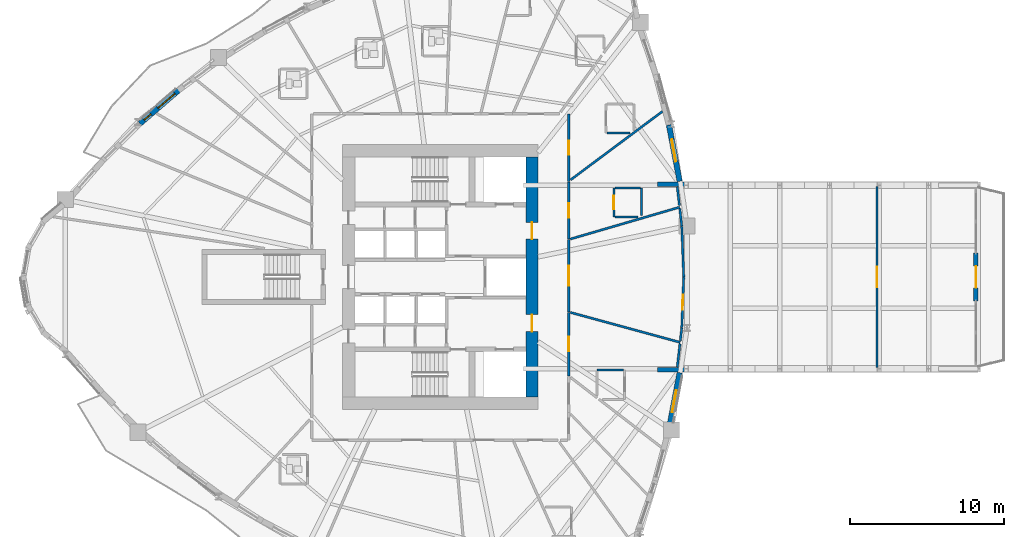
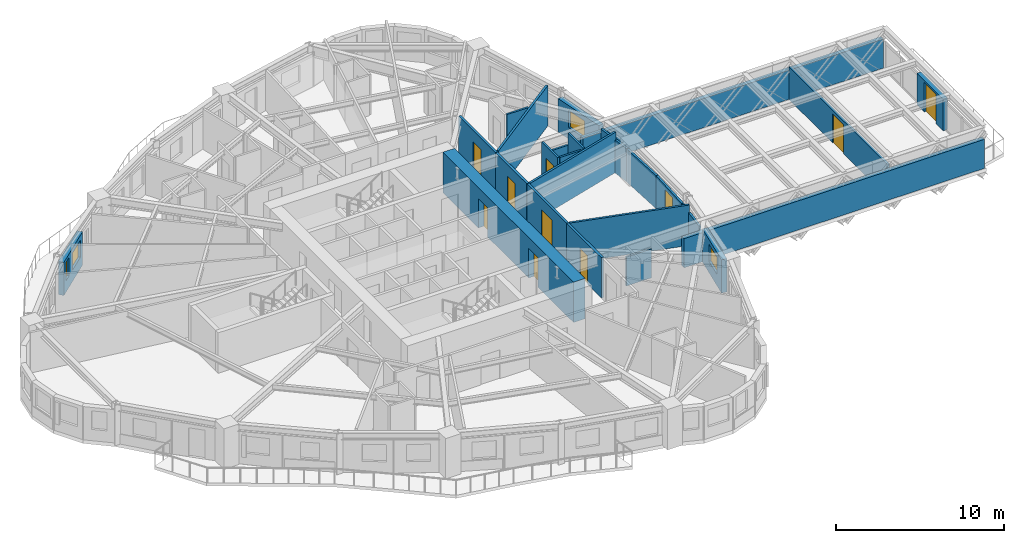
# One storey, part 8 of 16: 27 walls, 10 doors, 4 windows, 14 openings.
"""IFC4 building model written with IfcOpenShell, lengths in metres."""

import ifcopenshell
import ifcopenshell.guid

model = None  # the IFC model being written
_history = None  # IfcOwnerHistory: only IFC2X3 demands one
_inside = {}  # id of a spatial element -> (the spatial element, [elements in it])
_under = {}  # id of a project, library or spatial element -> (it, [spatial elements below it])
_declared = {}  # id of a project -> (the project, [libraries it declares])
_typed = {}  # id of a type object -> (the type object, [elements of that type])
_made_of = {}  # id of a material, layer set ... -> (it, [elements and type objects made of it])


def new_model(schema):
    """Start an empty IFC model of exactly this schema.

    Asked for "IFC4X3", IfcOpenShell would pick the latest addendum, in which some entities
    have other attributes; the version numbers below select the first issue.
    IFC2X3 requires an IfcOwnerHistory on every rooted entity: one is made here for all.
    """
    global model, _history
    if schema == "IFC4X3":
        model = ifcopenshell.file(schema_version=(4, 3, 0, 0))
    else:
        model = ifcopenshell.file(schema=schema)
    _inside.clear()
    _under.clear()
    _declared.clear()
    _typed.clear()
    _made_of.clear()
    _history = None
    if model.schema == "IFC2X3":
        org = make("IfcOrganization", Name="unknown")
        user = make(
            "IfcPersonAndOrganization",
            ThePerson=make("IfcPerson", FamilyName="unknown"),
            TheOrganization=org,
        )
        app = make(
            "IfcApplication",
            ApplicationDeveloper=org,
            Version="unknown",
            ApplicationFullName="unknown",
            ApplicationIdentifier="unknown",
        )
        _history = make(
            "IfcOwnerHistory",
            OwningUser=user,
            OwningApplication=app,
            ChangeAction="ADDED",
            CreationDate=0,
        )
    return model


def make(cls, **values):
    """One entity of the class cls with the attributes given. An attribute that is None is left unset."""
    return model.create_entity(
        cls, **{name: value for name, value in values.items() if value is not None}
    )


def rooted(cls, **values):
    """An entity with a GlobalId (a new one), such as an element, a storey or a relation."""
    return make(cls, GlobalId=ifcopenshell.guid.new(), OwnerHistory=_history, **values)


def si_unit(unit_type, name, prefix=None):
    """IfcSIUnit, for example si_unit("LENGTHUNIT", "METRE", prefix="MILLI")."""
    return make("IfcSIUnit", UnitType=unit_type, Prefix=prefix, Name=name)


def assignment(units):
    """IfcUnitAssignment: the units of a project."""
    return None if units is None else make("IfcUnitAssignment", Units=units)


def point(xyz):
    """IfcCartesianPoint."""
    return None if xyz is None else make("IfcCartesianPoint", Coordinates=xyz)


def direction(xyz):
    """IfcDirection."""
    return None if xyz is None else make("IfcDirection", DirectionRatios=xyz)


def frame(location, z_axis=None, x_axis=None):
    """IfcAxis2Placement3D, a coordinate frame: its origin and axes. An axis left out is left unset."""
    return make(
        "IfcAxis2Placement3D",
        Location=point(location),
        Axis=direction(z_axis),
        RefDirection=direction(x_axis),
    )


def frame_2d(location, x_axis=None):
    """IfcAxis2Placement2D, a coordinate frame in the plane: its origin and x axis."""
    return make(
        "IfcAxis2Placement2D", Location=point(location), RefDirection=direction(x_axis)
    )


def origin():
    """The frame at (0, 0, 0) with its axes left unset."""
    return frame((0.0, 0.0, 0.0))


def place(relative_to, where):
    """IfcLocalPlacement: puts the frame where relative to a parent placement (None: the world)."""
    return make(
        "IfcLocalPlacement", PlacementRelTo=relative_to, RelativePlacement=where
    )


def context(
    kind, dimensions, precision=None, world=None, true_north=None, identifier=None
):
    """IfcGeometricRepresentationContext, for example the 3D "Model" context."""
    return make(
        "IfcGeometricRepresentationContext",
        ContextIdentifier=identifier,
        ContextType=kind,
        CoordinateSpaceDimension=dimensions,
        Precision=precision,
        WorldCoordinateSystem=world,
        TrueNorth=true_north,
    )


def subcontext(parent, identifier, kind, view, scale=None):
    """IfcGeometricRepresentationSubContext, for example "Body" below "Model"."""
    return make(
        "IfcGeometricRepresentationSubContext",
        ContextIdentifier=identifier,
        ContextType=kind,
        ParentContext=parent,
        TargetScale=scale,
        TargetView=view,
    )


def project(units=None, contexts=None):
    """IfcProject with its units and contexts."""
    return rooted(
        "IfcProject",
        Name="project",
        RepresentationContexts=contexts,
        UnitsInContext=assignment(units),
    )


def spatial(cls, under=None, at=None, **own):
    """A site, building, storey or space (cls), placed at a placement, below another one or the project."""
    s = rooted(cls, ObjectPlacement=at, **own)
    if under is not None:
        _under.setdefault(under.id(), (under, []))[1].append(s)
    return s


def profile(cls, at=None, kind="AREA", **sizes):
    """A parametric profile (cls). Its sizes go by their IFC names, for example OverallWidth=200.0."""
    return make(cls, ProfileType=kind, Position=at, **sizes)


def rectangle(**sizes):
    """IfcRectangleProfileDef."""
    return profile("IfcRectangleProfileDef", **sizes)


def extrude(swept, where, along, depth):
    """IfcExtrudedAreaSolid: the profile swept, set in the frame where, extruded along a direction by depth."""
    return make(
        "IfcExtrudedAreaSolid",
        SweptArea=swept,
        Position=where,
        ExtrudedDirection=direction(along),
        Depth=depth,
    )


def shape(context_of_items, identifier, shape_type, items):
    """IfcShapeRepresentation: the items that make up one representation, for example the "Body"."""
    return make(
        "IfcShapeRepresentation",
        ContextOfItems=context_of_items,
        RepresentationIdentifier=identifier,
        RepresentationType=shape_type,
        Items=items,
    )


def source(mapping_origin, context_of_items, identifier, shape_type, items):
    """IfcRepresentationMap: a shape defined once, which mapped items show again and again."""
    return make(
        "IfcRepresentationMap",
        MappingOrigin=mapping_origin,
        MappedRepresentation=shape(context_of_items, identifier, shape_type, items),
    )


def transform(
    local_origin,
    x_axis=None,
    y_axis=None,
    z_axis=None,
    scale=None,
    scale2=None,
    scale3=None,
    uniform=True,
):
    """IfcCartesianTransformationOperator3D, or its non-uniform kind. x_axis, y_axis, z_axis: its Axis1, 2, 3."""
    if uniform:
        return make(
            "IfcCartesianTransformationOperator3D",
            Axis1=direction(x_axis),
            Axis2=direction(y_axis),
            LocalOrigin=point(local_origin),
            Scale=scale,
            Axis3=direction(z_axis),
        )
    return make(
        "IfcCartesianTransformationOperator3DnonUniform",
        Axis1=direction(x_axis),
        Axis2=direction(y_axis),
        LocalOrigin=point(local_origin),
        Scale=scale,
        Axis3=direction(z_axis),
        Scale2=scale2,
        Scale3=scale3,
    )


def mapped(mapping_source, mapping_target):
    """IfcMappedItem: shows the shape of a source again, moved by a transform."""
    return make(
        "IfcMappedItem", MappingSource=mapping_source, MappingTarget=mapping_target
    )


def material(Name=None, Category=None):
    """IfcMaterial."""
    return make("IfcMaterial", Name=Name, Category=Category)


def layer(
    of_material, thickness, ventilated=None, Name=None, Category=None, Priority=None
):
    """IfcMaterialLayer: one layer of a wall or slab, of a material (None: an air gap)."""
    return make(
        "IfcMaterialLayer",
        Material=of_material,
        LayerThickness=thickness,
        IsVentilated=ventilated,
        Name=Name,
        Category=Category,
        Priority=Priority,
    )


def layer_set(layers, Name=None):
    """IfcMaterialLayerSet."""
    return make("IfcMaterialLayerSet", MaterialLayers=layers, LayerSetName=Name)


def made_of(thing, what):
    """Note that an element or type object is made of a material, layer set ...; save() writes the relation."""
    if what is not None:
        _made_of.setdefault(what.id(), (what, []))[1].append(thing)
    return thing


def type_object(cls, material=None, **own):
    """A type object (cls), such as IfcWallType, which elements share."""
    return made_of(rooted(cls, **own), material)


def element(
    cls,
    number,
    at=None,
    inside=None,
    cuts=None,
    type_object=None,
    material=None,
    context=None,
    identifier="Body",
    shape_type=None,
    held_by="IfcProductDefinitionShape",
    body=None,
    shapes=None,
    **own,
):
    """One element of the class cls, such as IfcWall. Its Tag is "e" and its number.

    at: its placement. inside: the storey or other place that contains it. cuts: it is an
    opening in that element (IfcRelVoidsElement). A single representation is given by context,
    identifier, shape_type and body (its items); several are given by shapes. held_by: the class
    of the entity that holds the representations. save() writes the other relations.
    """
    e = rooted(cls, Tag="e%d" % number, ObjectPlacement=at, **own)
    if body is not None:
        shapes = [shape(context, identifier, shape_type, body)]
    if shapes is not None:
        e.Representation = make(held_by, Representations=shapes)
    if inside is not None:
        _inside.setdefault(inside.id(), (inside, []))[1].append(e)
    if cuts is not None:
        rooted(
            "IfcRelVoidsElement", RelatingBuildingElement=cuts, RelatedOpeningElement=e
        )
    if type_object is not None:
        _typed.setdefault(type_object.id(), (type_object, []))[1].append(e)
    return made_of(e, material)


def fill(opening, filler):
    """IfcRelFillsElement: the door or window that sits in an opening."""
    return rooted(
        "IfcRelFillsElement",
        RelatingOpeningElement=opening,
        RelatedBuildingElement=filler,
    )


def aggregate(whole, parts):
    """IfcRelAggregates: a whole, such as a stair, and the parts it consists of."""
    return rooted("IfcRelAggregates", RelatingObject=whole, RelatedObjects=parts)


def save(model, path):
    """Write the relations noted so far, then the file.

    IfcRelAggregates (storeys below a building ...), IfcRelContainedInSpatialStructure (elements
    in a storey), IfcRelDefinesByType, IfcRelAssociatesMaterial and IfcRelDeclares: one each for
    every whole, place, type object, material and project.
    """
    for whole, parts in _under.values():
        aggregate(whole, parts)
    for where, things in _inside.values():
        rooted(
            "IfcRelContainedInSpatialStructure",
            RelatedElements=things,
            RelatingStructure=where,
        )
    for kind, things in _typed.values():
        rooted("IfcRelDefinesByType", RelatedObjects=things, RelatingType=kind)
    for what, things in _made_of.values():
        rooted("IfcRelAssociatesMaterial", RelatedObjects=things, RelatingMaterial=what)
    for by, libraries in _declared.values():
        rooted("IfcRelDeclares", RelatingContext=by, RelatedDefinitions=libraries)
    model.write(path)


model = new_model("IFC4")

# Units and contexts
model_context = context("Model", 3, precision=1e-05, world=origin(), true_north=direction((0.0, 1.0)))
body_context = subcontext(model_context, "Body", "Model", "MODEL_VIEW")
ifc_project = project(units=[si_unit("LENGTHUNIT", "METRE"), si_unit("AREAUNIT", "SQUARE_METRE"), si_unit("VOLUMEUNIT", "CUBIC_METRE"), si_unit("PLANEANGLEUNIT", "RADIAN"), si_unit("MASSUNIT", "GRAM", prefix="KILO")], contexts=[model_context])

# Site, building, storey
site_placement = place(None, origin())
site = spatial("IfcSite", under=ifc_project, at=site_placement, CompositionType="ELEMENT")
building_placement = place(site_placement, origin())
building = spatial("IfcBuilding", under=site, at=building_placement, Name="Qafzar Sky-Pleat Residences", CompositionType="ELEMENT")
storey_placement = place(building_placement, frame((0.0, 0.0, 33.39990234375)))
storey = spatial("IfcBuildingStorey", under=building, at=storey_placement, Name="L09", CompositionType="ELEMENT", Elevation=33.39990234375)

# Wall, opening, door
ifc_material_1 = material(Name="Acoustic gypsum plasterboard partition", Category="gypsum")
ifc_layer_1 = layer(ifc_material_1, 0.159912109375)
ifc_layer_set_1 = layer_set([ifc_layer_1], Name="Acoustic gypsum plasterboard partition")
wall_type_1 = type_object("IfcWallType", Name="PART-COR-160", PredefinedType="PARTITIONING", material=ifc_layer_set_1)
wall_1_placement = place(storey_placement, frame((38.679931640625, 28.445068359375, 0.0), z_axis=(0.0, 0.0, 1.0), x_axis=(0.0, -1.0, 0.0)))
wall_1 = element("IfcWall", 1, at=wall_1_placement, inside=storey, type_object=wall_type_1, Name="L09 Partition Wall PART-L09-PW-004", PredefinedType="PARTITIONING", context=body_context, shape_type="SweptSolid", body=[
    extrude(rectangle(XDim=4.73095703125, YDim=0.159912109375, at=frame_2d((2.365478515625, 0.0))), origin(), (0.0, 0.0, 1.0), 2.940185546875),
])
opening_1_placement = place(wall_1_placement, frame((1.715576171875, 0.0, 0.0)))
opening_1 = element("IfcOpeningElement", 2, at=opening_1_placement, cuts=wall_1, Name="Opening ID-05", PredefinedType="OPENING", context=body_context, shape_type="SweptSolid", body=[
    extrude(rectangle(XDim=1.300048828125, YDim=2.10009765625, at=frame_2d((0.64990234375, 1.050048828125))), frame((0.0, 0.08984375, 0.0), z_axis=(0.0, -1.0, 0.0), x_axis=(1.0, 0.0, 0.0)), (0.0, 0.0, 1.0), 0.179931640625),
])
ifc_material_2 = material(Name="Timber-faced fire door", Category="wood")
door_type_1 = type_object("IfcDoorType", Name="DR-LNG-1300", OperationType="DOUBLE_DOOR_SINGLE_SWING", PredefinedType="DOOR", material=ifc_material_2)
shared_shape_1 = source(origin(), body_context, "Body", "SweptSolid", [
    extrude(rectangle(XDim=1.300048828125, YDim=2.10009765625, at=frame_2d((0.64990234375, 1.050048828125))), frame((0.0, 0.02490234375, 0.0), z_axis=(0.0, -1.0, 0.0), x_axis=(1.0, 0.0, 0.0)), (0.0, 0.0, 1.0), 0.050048828125),
])
door_1_placement = place(opening_1_placement, origin())
door_1 = element("IfcDoor", 3, at=door_1_placement, inside=storey, type_object=door_type_1, Name="L09 Co-Living Lounge Door", OperationType="DOUBLE_DOOR_SINGLE_SWING", OverallHeight=2.10009765625, OverallWidth=1.300048828125, PredefinedType="DOOR", context=body_context, shape_type="MappedRepresentation", body=[
    mapped(shared_shape_1, transform((0.0, 0.0, 0.0), x_axis=(1.0, 0.0, 0.0), y_axis=(0.0, 1.0, 0.0), z_axis=(0.0, 0.0, 1.0), scale=1.0)),
])
fill(opening_1, door_1)

wall_2_placement = place(storey_placement, frame((38.679931640625, 36.580078125, 0.0), z_axis=(0.0, 0.0, 1.0), x_axis=(0.0, -1.0, 0.0)))
wall_2 = element("IfcWall", 4, at=wall_2_placement, inside=storey, type_object=wall_type_1, Name="L09 Partition Wall PART-L09-PW-005", PredefinedType="PARTITIONING", context=body_context, shape_type="SweptSolid", body=[
    extrude(rectangle(XDim=4.39013671875, YDim=0.159912109375, at=frame_2d((2.195068359375, 0.0))), origin(), (0.0, 0.0, 1.0), 2.940185546875),
])
opening_2_placement = place(wall_2_placement, frame((1.7255859375, 0.0, 0.0)))
opening_2 = element("IfcOpeningElement", 5, at=opening_2_placement, cuts=wall_2, Name="Opening ID-04", PredefinedType="OPENING", context=body_context, shape_type="SweptSolid", body=[
    extrude(rectangle(XDim=0.919921875, YDim=2.10009765625, at=frame_2d((0.4599609375, 1.050048828125))), frame((0.0, 0.08984375, 0.0), z_axis=(0.0, -1.0, 0.0), x_axis=(1.0, 0.0, 0.0)), (0.0, 0.0, 1.0), 0.179931640625),
])
door_type_2 = type_object("IfcDoorType", Name="DR-BED-920", OperationType="NOTDEFINED", PredefinedType="DOOR", material=ifc_material_2)
shared_shape_2 = source(origin(), body_context, "Body", "SweptSolid", [
    extrude(rectangle(XDim=0.919921875, YDim=2.10009765625, at=frame_2d((0.4599609375, 1.050048828125))), frame((0.0, 0.02490234375, 0.0), z_axis=(0.0, -1.0, 0.0), x_axis=(1.0, 0.0, 0.0)), (0.0, 0.0, 1.0), 0.050048828125),
])
door_2_placement = place(opening_2_placement, origin())
door_2 = element("IfcDoor", 6, at=door_2_placement, inside=storey, type_object=door_type_2, Name="L09 Co-Living Bedroom 10 Door", OperationType="SINGLE_SWING_RIGHT", OverallHeight=2.10009765625, OverallWidth=0.919921875, PredefinedType="DOOR", context=body_context, shape_type="MappedRepresentation", body=[
    mapped(shared_shape_2, transform((0.0, 0.0, 0.0), x_axis=(1.0, 0.0, 0.0), y_axis=(0.0, 1.0, 0.0), z_axis=(0.0, 0.0, 1.0), scale=1.0)),
])
fill(opening_2, door_2)

wall_3_placement = place(storey_placement, frame((38.679931640625, 23.698974609375, 0.0), z_axis=(0.0, 0.0, 1.0), x_axis=(0.0, -1.0, 0.0)))
wall_3 = element("IfcWall", 7, at=wall_3_placement, inside=storey, type_object=wall_type_1, Name="L09 Partition Wall PART-L09-PW-006", PredefinedType="PARTITIONING", context=body_context, shape_type="SweptSolid", body=[
    extrude(rectangle(XDim=4.135009765625, YDim=0.159912109375, at=frame_2d((2.0673828125, 0.0))), origin(), (0.0, 0.0, 1.0), 2.940185546875),
])
opening_3_placement = place(wall_3_placement, frame((1.58251953125, 0.0, 0.0)))
opening_3 = element("IfcOpeningElement", 8, at=opening_3_placement, cuts=wall_3, Name="Opening ID-04", PredefinedType="OPENING", context=body_context, shape_type="SweptSolid", body=[
    extrude(rectangle(XDim=0.919921875, YDim=2.10009765625, at=frame_2d((0.4599609375, 1.050048828125))), frame((0.0, 0.08984375, 0.0), z_axis=(0.0, -1.0, 0.0), x_axis=(1.0, 0.0, 0.0)), (0.0, 0.0, 1.0), 0.179931640625),
])
door_3_placement = place(opening_3_placement, origin())
door_3 = element("IfcDoor", 9, at=door_3_placement, inside=storey, type_object=door_type_2, Name="L09 Co-Living Bedroom 8 Door", OperationType="SINGLE_SWING_LEFT", OverallHeight=2.10009765625, OverallWidth=0.919921875, PredefinedType="DOOR", context=body_context, shape_type="MappedRepresentation", body=[
    mapped(shared_shape_2, transform((0.0, 0.0, 0.0), x_axis=(1.0, 0.0, 0.0), y_axis=(0.0, 1.0, 0.0), z_axis=(0.0, 0.0, 1.0), scale=1.0)),
])
fill(opening_3, door_3)

wall_4_placement = place(storey_placement, frame((38.679931640625, 32.175048828125, 0.0), z_axis=(0.0, 0.0, 1.0), x_axis=(0.0, -1.0, 0.0)))
wall_4 = element("IfcWall", 10, at=wall_4_placement, inside=storey, type_object=wall_type_1, Name="L09 Partition Wall PART-L09-PW-010", PredefinedType="PARTITIONING", context=body_context, shape_type="SweptSolid", body=[
    extrude(rectangle(XDim=3.715087890625, YDim=0.159912109375, at=frame_2d((1.857421875, 0.0))), origin(), (0.0, 0.0, 1.0), 2.940185546875),
])
opening_4_placement = place(wall_4_placement, frame((1.39599609375, 0.0, 0.0)))
opening_4 = element("IfcOpeningElement", 11, at=opening_4_placement, cuts=wall_4, Name="Opening ID-04", PredefinedType="OPENING", context=body_context, shape_type="SweptSolid", body=[
    extrude(rectangle(XDim=0.919921875, YDim=2.10009765625, at=frame_2d((0.4599609375, 1.050048828125))), frame((0.0, 0.08984375, 0.0), z_axis=(0.0, -1.0, 0.0), x_axis=(1.0, 0.0, 0.0)), (0.0, 0.0, 1.0), 0.179931640625),
])
door_4_placement = place(opening_4_placement, origin())
door_4 = element("IfcDoor", 12, at=door_4_placement, inside=storey, type_object=door_type_2, Name="L09 Co-Living Bedroom 9 Door", OperationType="SINGLE_SWING_RIGHT", OverallHeight=2.10009765625, OverallWidth=0.919921875, PredefinedType="DOOR", context=body_context, shape_type="MappedRepresentation", body=[
    mapped(shared_shape_2, transform((0.0, 0.0, 0.0), x_axis=(1.0, 0.0, 0.0), y_axis=(0.0, 1.0, 0.0), z_axis=(0.0, 0.0, 1.0), scale=1.0)),
])
fill(opening_4, door_4)

ifc_layer_2 = layer(ifc_material_1, 0.14501953125)
ifc_layer_set_2 = layer_set([ifc_layer_2], Name="Acoustic gypsum plasterboard partition")
wall_type_2 = type_object("IfcWallType", Name="PART-UNIT-145", PredefinedType="PARTITIONING", material=ifc_layer_set_2)
wall_5_placement = place(storey_placement, frame((58.69091796875, 31.862060546875, 0.0), z_axis=(0.0, 0.0, 1.0), x_axis=(0.0, -1.0, 0.0)))
wall_5 = element("IfcWall", 13, at=wall_5_placement, inside=storey, type_object=wall_type_2, Name="L09 Partition Wall PART-L09-PW-001", PredefinedType="PARTITIONING", context=body_context, shape_type="SweptSolid", body=[
    extrude(rectangle(XDim=11.72412109375, YDim=0.14501953125, at=frame_2d((5.862060546875, 0.0))), origin(), (0.0, 0.0, 1.0), 2.383056640625),
])
opening_5_placement = place(wall_5_placement, frame((5.2119140625, 0.0, 0.0)))
opening_5 = element("IfcOpeningElement", 14, at=opening_5_placement, cuts=wall_5, Name="Opening ID-05", PredefinedType="OPENING", context=body_context, shape_type="SweptSolid", body=[
    extrude(rectangle(XDim=1.300048828125, YDim=2.10009765625, at=frame_2d((0.64990234375, 1.050048828125))), frame((0.0, 0.08251953125, 0.0), z_axis=(0.0, -1.0, 0.0), x_axis=(1.0, 0.0, 0.0)), (0.0, 0.0, 1.0), 0.1650390625),
])
door_5_placement = place(opening_5_placement, origin())
door_5 = element("IfcDoor", 15, at=door_5_placement, inside=storey, type_object=door_type_1, Name="L09 Panorama Sky Lounge Door", OperationType="DOUBLE_DOOR_SINGLE_SWING", OverallHeight=2.10009765625, OverallWidth=1.300048828125, PredefinedType="DOOR", context=body_context, shape_type="MappedRepresentation", body=[
    mapped(shared_shape_1, transform((0.0, 0.0, 0.0), x_axis=(1.0, 0.0, 0.0), y_axis=(0.0, 1.0, 0.0), z_axis=(0.0, 0.0, 1.0), scale=1.0)),
])
fill(opening_5, door_5)

wall_6_placement = place(storey_placement, frame((46.1455078125, 25.985107421875, 0.0), z_axis=(0.0, 0.0, 1.0), x_axis=(-0.038094618751, -0.999274136572, 0.0)))
wall_6 = element("IfcWall", 16, at=wall_6_placement, inside=storey, type_object=wall_type_2, Name="L09 Partition Wall PART-L09-PW-012", PredefinedType="PARTITIONING", context=body_context, shape_type="SweptSolid", body=[
    extrude(rectangle(XDim=3.2685546875, YDim=0.14501953125, at=frame_2d((1.63427734375, 0.0))), origin(), (0.0, 0.0, 1.0), 2.408203125),
])
opening_6_placement = place(wall_6_placement, frame((1.146728515625, 0.0, 0.0)))
opening_6 = element("IfcOpeningElement", 17, at=opening_6_placement, cuts=wall_6, Name="Opening ID-06", PredefinedType="OPENING", context=body_context, shape_type="SweptSolid", body=[
    extrude(rectangle(XDim=0.9599609375, YDim=2.10009765625, at=frame_2d((0.47998046875, 1.050048828125))), frame((0.0, 0.08251953125, 0.0), z_axis=(0.0, -1.0, 0.0), x_axis=(1.0, 0.0, 0.0)), (0.0, 0.0, 1.0), 0.1650390625),
])
door_type_3 = type_object("IfcDoorType", Name="DR-STD-960", OperationType="NOTDEFINED", PredefinedType="DOOR", material=ifc_material_2)
shared_shape_3 = source(origin(), body_context, "Body", "SweptSolid", [
    extrude(rectangle(XDim=0.9599609375, YDim=2.10009765625, at=frame_2d((0.47998046875, 1.050048828125))), frame((0.0, 0.02490234375, 0.0), z_axis=(0.0, -1.0, 0.0), x_axis=(1.0, 0.0, 0.0)), (0.0, 0.0, 1.0), 0.050048828125),
])
door_6_placement = place(opening_6_placement, origin())
door_6 = element("IfcDoor", 18, at=door_6_placement, inside=storey, type_object=door_type_3, Name="L09 Sky-Bar Reading Library Door", OperationType="SINGLE_SWING_RIGHT", OverallHeight=2.10009765625, OverallWidth=0.9599609375, PredefinedType="DOOR", context=body_context, shape_type="MappedRepresentation", body=[
    mapped(shared_shape_3, transform((0.0, 0.0, 0.0), x_axis=(1.0, 0.0, 0.0), y_axis=(0.0, 1.0, 0.0), z_axis=(0.0, 0.0, 1.0), scale=1.0)),
])
fill(opening_6, door_6)

# Walls
wall_7_placement = place(storey_placement, frame((38.809814453125, 32.3056640625, 0.0), z_axis=(0.0, 0.0, 1.0), x_axis=(0.801799720797, 0.597592844443, 0.0)))
element("IfcWall", 19, at=wall_7_placement, inside=storey, type_object=wall_type_2, Name="L09 Partition Wall PART-L09-PW-041", PredefinedType="PARTITIONING", context=body_context, shape_type="SweptSolid", body=[
    extrude(rectangle(XDim=7.42431640625, YDim=0.14501953125, at=frame_2d((3.712158203125, 0.0))), origin(), (0.0, 0.0, 1.0), 2.940185546875),
])
wall_8_placement = place(storey_placement, frame((38.7880859375, 28.46044921875, 0.0), z_axis=(0.0, 0.0, 1.0), x_axis=(0.959983709987, 0.280055845432, 0.0)))
element("IfcWall", 20, at=wall_8_placement, inside=storey, type_object=wall_type_2, Name="L09 Partition Wall PART-L09-PW-042", PredefinedType="PARTITIONING", context=body_context, shape_type="SweptSolid", body=[
    extrude(rectangle(XDim=7.386474609375, YDim=0.14501953125, at=frame_2d((3.693359375, 0.0))), origin(), (0.0, 0.0, 1.0), 2.940185546875),
])
wall_9_placement = place(storey_placement, frame((38.786865234375, 23.700927734375, 0.0), z_axis=(0.0, 0.0, 1.0), x_axis=(0.964810342249, -0.262946769308, 0.0)))
element("IfcWall", 21, at=wall_9_placement, inside=storey, type_object=wall_type_2, Name="L09 Partition Wall PART-L09-PW-043", PredefinedType="PARTITIONING", context=body_context, shape_type="SweptSolid", body=[
    extrude(rectangle(XDim=7.385009765625, YDim=0.14501953125, at=frame_2d((3.6923828125, 0.0))), origin(), (0.0, 0.0, 1.0), 2.940185546875),
])
wall_10_placement = place(storey_placement, frame((46.02099609375, 29.281005859375, 0.0), z_axis=(0.0, 0.0, 1.0), x_axis=(0.038070453861, -0.999275057501, 0.0)))
element("IfcWall", 22, at=wall_10_placement, inside=storey, type_object=wall_type_2, Name="L09 Partition Wall PART-L09-PW-056", PredefinedType="PARTITIONING", context=body_context, shape_type="SweptSolid", body=[
    extrude(rectangle(XDim=3.283447265625, YDim=0.14501953125, at=frame_2d((1.6416015625, 0.0))), origin(), (0.0, 0.0, 1.0), 2.408203125),
])
wall_11_placement = place(storey_placement, frame((45.728515625, 20.14599609375, 0.0), z_axis=(0.0, 0.0, 1.0), x_axis=(0.113074294354, 0.993586535716, 0.0)))
element("IfcWall", 23, at=wall_11_placement, inside=storey, type_object=wall_type_2, Name="L09 Partition Wall PART-L09-PW-087", PredefinedType="PARTITIONING", context=body_context, shape_type="SweptSolid", body=[
    extrude(rectangle(XDim=1.53076171875, YDim=0.14501953125, at=frame_2d((0.765380859375, 0.0))), origin(), (0.0, 0.0, 1.0), 2.408203125),
])
wall_12_placement = place(storey_placement, frame((45.8896484375, 30.435546875, 0.0), z_axis=(0.0, 0.0, 1.0), x_axis=(0.113024308153, -0.993592223081, 0.0)))
element("IfcWall", 24, at=wall_12_placement, inside=storey, type_object=wall_type_2, Name="L09 Partition Wall PART-L09-PW-089", PredefinedType="PARTITIONING", context=body_context, shape_type="SweptSolid", body=[
    extrude(rectangle(XDim=1.14697265625, YDim=0.14501953125, at=frame_2d((0.573486328125, 0.0))), origin(), (0.0, 0.0, 1.0), 2.408203125),
])
wall_13_placement = place(storey_placement, frame((45.728515625, 31.85400390625, 0.0), z_axis=(0.0, 0.0, 1.0), x_axis=(0.112860473391, -0.993610846129, 0.0)))
element("IfcWall", 25, at=wall_13_placement, inside=storey, type_object=wall_type_2, Name="L09 Partition Wall PART-L09-PW-090", PredefinedType="PARTITIONING", context=body_context, shape_type="SweptSolid", body=[
    extrude(rectangle(XDim=1.224365234375, YDim=0.14501953125, at=frame_2d((0.6123046875, 0.0))), origin(), (0.0, 0.0, 1.0), 2.408203125),
])
wall_14_placement = place(storey_placement, frame((45.924072265625, 21.86572265625, 0.0), z_axis=(0.0, 0.0, 1.0), x_axis=(0.112844765803, 0.993612630169, 0.0)))
element("IfcWall", 26, at=wall_14_placement, inside=storey, type_object=wall_type_2, Name="L09 Partition Wall PART-L09-PW-096", PredefinedType="PARTITIONING", context=body_context, shape_type="SweptSolid", body=[
    extrude(rectangle(XDim=0.84375, YDim=0.14501953125, at=frame_2d((0.421875, 0.0))), origin(), (0.0, 0.0, 1.0), 2.408203125),
])

# Wall, opening, door
ifc_material_3 = material(Name="Moisture-resistant gypsum partition", Category="gypsum")
ifc_layer_3 = layer(ifc_material_3, 0.1298828125)
ifc_layer_set_3 = layer_set([ifc_layer_3], Name="Moisture-resistant gypsum partition")
wall_type_3 = type_object("IfcWallType", Name="PART-WET-130", PredefinedType="PARTITIONING", material=ifc_layer_set_3)
wall_15_placement = place(storey_placement, frame((41.611083984375, 31.7880859375, 0.0), z_axis=(0.0, 0.0, 1.0), x_axis=(0.0, -1.0, 0.0)))
wall_15 = element("IfcWall", 27, at=wall_15_placement, inside=storey, type_object=wall_type_3, Name="L09 Partition Wall PART-L09-PW-026", PredefinedType="PARTITIONING", context=body_context, shape_type="SweptSolid", body=[
    extrude(rectangle(XDim=1.900146484375, YDim=0.1298828125, at=frame_2d((0.9501953125, 0.0))), origin(), (0.0, 0.0, 1.0), 2.940185546875),
])
opening_7_placement = place(wall_15_placement, frame((0.510009765625, 0.0, 0.0)))
opening_7 = element("IfcOpeningElement", 28, at=opening_7_placement, cuts=wall_15, Name="Opening ID-07", PredefinedType="OPENING", context=body_context, shape_type="SweptSolid", body=[
    extrude(rectangle(XDim=0.8798828125, YDim=2.050048828125, at=frame_2d((0.43994140625, 1.02490234375))), frame((0.0, 0.074951171875, 0.0), z_axis=(0.0, -1.0, 0.0), x_axis=(1.0, 0.0, 0.0)), (0.0, 0.0, 1.0), 0.14990234375),
])
door_type_4 = type_object("IfcDoorType", Name="DR-WET-880", OperationType="NOTDEFINED", PredefinedType="DOOR", material=ifc_material_2)
shared_shape_4 = source(origin(), body_context, "Body", "SweptSolid", [
    extrude(rectangle(XDim=0.8798828125, YDim=2.050048828125, at=frame_2d((0.43994140625, 1.02490234375))), frame((0.0, 0.02490234375, 0.0), z_axis=(0.0, -1.0, 0.0), x_axis=(1.0, 0.0, 0.0)), (0.0, 0.0, 1.0), 0.050048828125),
])
door_7_placement = place(opening_7_placement, origin())
door_7 = element("IfcDoor", 29, at=door_7_placement, inside=storey, type_object=door_type_4, Name="L09 En-suite Bathroom 9 Door", OperationType="SINGLE_SWING_RIGHT", OverallHeight=2.050048828125, OverallWidth=0.8798828125, PredefinedType="DOOR", context=body_context, shape_type="MappedRepresentation", body=[
    mapped(shared_shape_4, transform((0.0, 0.0, 0.0), x_axis=(1.0, 0.0, 0.0), y_axis=(0.0, 1.0, 0.0), z_axis=(0.0, 0.0, 1.0), scale=1.0)),
])
fill(opening_7, door_7)

# Walls
wall_16_placement = place(storey_placement, frame((43.410888671875, 29.990478515625, 0.0), z_axis=(0.0, 0.0, 1.0), x_axis=(0.0, 1.0, 0.0)))
element("IfcWall", 30, at=wall_16_placement, inside=storey, type_object=wall_type_3, Name="L09 Partition Wall PART-L09-PW-064", PredefinedType="PARTITIONING", context=body_context, shape_type="SweptSolid", body=[
    extrude(rectangle(XDim=1.797607421875, YDim=0.1298828125, at=frame_2d((0.89892578125, 0.0))), origin(), (0.0, 0.0, 1.0), 2.940185546875),
])
wall_17_placement = place(storey_placement, frame((41.68408203125, 31.7880859375, 0.0), z_axis=(0.0, 0.0, 1.0), x_axis=(1.0, 0.0, 0.0)))
element("IfcWall", 31, at=wall_17_placement, inside=storey, type_object=wall_type_3, Name="L09 Partition Wall PART-L09-PW-068", PredefinedType="PARTITIONING", context=body_context, shape_type="SweptSolid", body=[
    extrude(rectangle(XDim=1.65380859375, YDim=0.1298828125, at=frame_2d((0.826904296875, 0.0))), origin(), (0.0, 0.0, 1.0), 2.108154296875),
])
wall_18_placement = place(storey_placement, frame((41.68408203125, 29.887939453125, 0.0), z_axis=(0.0, 0.0, 1.0), x_axis=(1.0, 0.0, 0.0)))
element("IfcWall", 32, at=wall_18_placement, inside=storey, type_object=wall_type_3, Name="L09 Partition Wall PART-L09-PW-069", PredefinedType="PARTITIONING", context=body_context, shape_type="SweptSolid", body=[
    extrude(rectangle(XDim=1.48681640625, YDim=0.1298828125, at=frame_2d((0.743408203125, 0.0))), origin(), (0.0, 0.0, 1.0), 2.940185546875),
])
wall_19_placement = place(storey_placement, frame((40.51806640625, 19.966064453125, 0.0), z_axis=(0.0, 0.0, 1.0), x_axis=(1.0, 0.0, 0.0)))
element("IfcWall", 33, at=wall_19_placement, inside=storey, type_object=wall_type_3, Name="L09 Partition Wall PART-L09-PW-076", PredefinedType="PARTITIONING", context=body_context, shape_type="SweptSolid", body=[
    extrude(rectangle(XDim=1.72705078125, YDim=0.1298828125, at=frame_2d((0.863525390625, 0.0))), origin(), (0.0, 0.0, 1.0), 2.108154296875),
])
wall_20_placement = place(storey_placement, frame((41.178955078125, 35.3330078125, 0.0), z_axis=(0.0, 0.0, 1.0), x_axis=(1.0, 0.0, 0.0)))
element("IfcWall", 34, at=wall_20_placement, inside=storey, type_object=wall_type_3, Name="L09 Partition Wall PART-L09-PW-080", PredefinedType="PARTITIONING", context=body_context, shape_type="SweptSolid", body=[
    extrude(rectangle(XDim=1.4755859375, YDim=0.1298828125, at=frame_2d((0.73779296875, 0.0))), origin(), (0.0, 0.0, 1.0), 2.940185546875),
])
ifc_material_4 = material(Name="Precast concrete C40/50 with honed Riyadh limestone", Category="concrete")
ifc_layer_4 = layer(ifc_material_4, 0.300048828125)
ifc_layer_set_4 = layer_set([ifc_layer_4], Name="Precast concrete C40/50 with honed Riyadh limestone")
wall_type_4 = type_object("IfcWallType", Name="WALL-EXT-300", PredefinedType="SOLIDWALL", material=ifc_layer_set_4)
for number, where, z_axis, x_axis, name in (
    (35, (44.449951171875, 32.02001953125, 0.0), (0.0, 0.0, 1.0), (1.0, 0.0, 0.0), "L09 SB-1 Side Spandrel Wall L"),
    (36, (44.449951171875, 19.97998046875, 0.0), (0.0, 0.0, 1.0), (1.0, 0.0, 0.0), "L09 SB-1 Side Spandrel Wall R"),
):
    element("IfcWall", number, at=place(storey_placement, frame(where, z_axis=z_axis, x_axis=x_axis)), inside=storey, type_object=wall_type_4, Name=name, PredefinedType="SOLIDWALL", context=body_context, shape_type="SweptSolid", body=[
        extrude(rectangle(XDim=20.6845703125, YDim=0.300048828125, at=frame_2d((10.34228515625, 0.0))), origin(), (0.0, 0.0, 1.0), 2.1201171875),
    ])

# Wall, opening, door
wall_21_placement = place(storey_placement, frame((65.1044921875, 27.56005859375, 0.0), z_axis=(0.0, 0.0, 1.0), x_axis=(0.0, -1.0, 0.0)))
wall_21 = element("IfcWall", 37, at=wall_21_placement, inside=storey, type_object=wall_type_4, Name="L09 SB-1 Prow Portal Wall", PredefinedType="SOLIDWALL", context=body_context, shape_type="SweptSolid", body=[
    extrude(rectangle(XDim=3.1201171875, YDim=0.300048828125, at=frame_2d((1.56005859375, 0.0))), origin(), (0.0, 0.0, 1.0), 2.300048828125),
])
opening_8_placement = place(wall_21_placement, frame((0.860107421875, 0.0, 0.0)))
opening_8 = element("IfcOpeningElement", 38, at=opening_8_placement, cuts=wall_21, Name="Opening ED-07", PredefinedType="OPENING", context=body_context, shape_type="SweptSolid", body=[
    extrude(rectangle(XDim=1.39990234375, YDim=2.14990234375, at=frame_2d((0.699951171875, 1.074951171875))), frame((0.0, 0.16015625, 0.0), z_axis=(0.0, -1.0, 0.0), x_axis=(1.0, 0.0, 0.0)), (0.0, 0.0, 1.0), 0.320068359375),
])
ifc_material_5 = material(Name="Glazed bronze aluminium door", Category="aluminium")
door_type_5 = type_object("IfcDoorType", Name="DR-SB-1400", OperationType="DOUBLE_DOOR_SINGLE_SWING", PredefinedType="DOOR", material=ifc_material_5)
shared_shape_5 = source(origin(), body_context, "Body", "SweptSolid", [
    extrude(rectangle(XDim=1.39990234375, YDim=2.14990234375, at=frame_2d((0.699951171875, 1.074951171875))), frame((0.0, 0.02490234375, 0.0), z_axis=(0.0, -1.0, 0.0), x_axis=(1.0, 0.0, 0.0)), (0.0, 0.0, 1.0), 0.050048828125),
])
door_8_placement = place(opening_8_placement, origin())
door_8 = element("IfcDoor", 39, at=door_8_placement, inside=storey, type_object=door_type_5, Name="L09 SB-1 Tip Balcony Glazed Door", OperationType="DOUBLE_DOOR_SINGLE_SWING", OverallHeight=2.14990234375, OverallWidth=1.39990234375, PredefinedType="DOOR", context=body_context, shape_type="MappedRepresentation", body=[
    mapped(shared_shape_5, transform((0.0, 0.0, 0.0), x_axis=(1.0, 0.0, 0.0), y_axis=(0.0, 1.0, 0.0), z_axis=(0.0, 0.0, 1.0), scale=1.0)),
])
fill(opening_8, door_8)

# Wall, opening, window
ifc_layer_5 = layer(ifc_material_4, 0.35009765625)
ifc_layer_set_5 = layer_set([ifc_layer_5], Name="Precast concrete C40/50 with honed Riyadh limestone")
wall_type_5 = type_object("IfcWallType", Name="WALL-EXT-350", PredefinedType="SOLIDWALL", material=ifc_layer_set_5)
wall_22_placement = place(storey_placement, frame((45.239501953125, 16.407958984375, 0.0), z_axis=(0.0, 0.0, 1.0), x_axis=(0.186636709983, 0.982428999209, 0.0)))
wall_22 = element("IfcWall", 40, at=wall_22_placement, inside=storey, type_object=wall_type_5, Name="L09 Limestone Facade Wall 25", PredefinedType="SOLIDWALL", context=body_context, shape_type="SweptSolid", body=[
    extrude(rectangle(XDim=3.445556640625, YDim=0.35009765625, at=frame_2d((1.72265625, 0.0))), origin(), (0.0, 0.0, 1.0), 2.420166015625),
])
opening_9_placement = place(wall_22_placement, frame((0.827880859375, 0.0, 0.820068359375)))
opening_9 = element("IfcOpeningElement", 41, at=opening_9_placement, cuts=wall_22, Name="Opening WN-15", PredefinedType="OPENING", context=body_context, shape_type="SweptSolid", body=[
    extrude(rectangle(XDim=1.449951171875, YDim=1.25, at=frame_2d((0.72509765625, 0.625))), frame((0.0, 0.18505859375, 0.0), z_axis=(0.0, -1.0, 0.0), x_axis=(1.0, 0.0, 0.0)), (0.0, 0.0, 1.0), 0.3701171875),
])
ifc_material_6 = material(Name="Solar-control low-E glass in bronze aluminium frame", Category="glass")
window_type_1 = type_object("IfcWindowType", Name="WIN-15", PartitioningType="SINGLE_PANEL", PredefinedType="WINDOW", material=ifc_material_6)
shared_shape_6 = source(origin(), body_context, "Body", "SweptSolid", [
    extrude(rectangle(XDim=1.449951171875, YDim=1.25, at=frame_2d((0.72509765625, 0.625))), frame((0.0, 0.030029296875, 0.0), z_axis=(0.0, -1.0, 0.0), x_axis=(1.0, 0.0, 0.0)), (0.0, 0.0, 1.0), 0.06005859375),
])
window_1_placement = place(opening_9_placement, origin())
window_1 = element("IfcWindow", 42, at=window_1_placement, inside=storey, type_object=window_type_1, Name="L09 Punched Facade Window 25", OverallHeight=1.25, OverallWidth=1.449951171875, PartitioningType="SINGLE_PANEL", PredefinedType="WINDOW", context=body_context, shape_type="MappedRepresentation", body=[
    mapped(shared_shape_6, transform((0.0, 0.0, 0.0), x_axis=(1.0, 0.0, 0.0), y_axis=(0.0, 1.0, 0.0), z_axis=(0.0, 0.0, 1.0), scale=1.0)),
])
fill(opening_9, window_1)

wall_23_placement = place(storey_placement, frame((45.882568359375, 32.20703125, 0.0), z_axis=(0.0, 0.0, 1.0), x_axis=(-0.186693533797, 0.982418202416, 0.0)))
wall_23 = element("IfcWall", 43, at=wall_23_placement, inside=storey, type_object=wall_type_5, Name="L09 Limestone Facade Wall 30", PredefinedType="SOLIDWALL", context=body_context, shape_type="SweptSolid", body=[
    extrude(rectangle(XDim=3.7255859375, YDim=0.35009765625, at=frame_2d((1.86279296875, 0.0))), origin(), (0.0, 0.0, 1.0), 2.420166015625),
])
opening_10_placement = place(wall_23_placement, frame((1.312744140625, 0.0, 0.820068359375)))
opening_10 = element("IfcOpeningElement", 44, at=opening_10_placement, cuts=wall_23, Name="Opening WN-15", PredefinedType="OPENING", context=body_context, shape_type="SweptSolid", body=[
    extrude(rectangle(XDim=1.449951171875, YDim=1.25, at=frame_2d((0.72509765625, 0.625))), frame((0.0, 0.18505859375, 0.0), z_axis=(0.0, -1.0, 0.0), x_axis=(1.0, 0.0, 0.0)), (0.0, 0.0, 1.0), 0.3701171875),
])
window_2_placement = place(opening_10_placement, origin())
window_2 = element("IfcWindow", 45, at=window_2_placement, inside=storey, type_object=window_type_1, Name="L09 Punched Facade Window 30", OverallHeight=1.25, OverallWidth=1.449951171875, PartitioningType="SINGLE_PANEL", PredefinedType="WINDOW", context=body_context, shape_type="MappedRepresentation", body=[
    mapped(shared_shape_6, transform((0.0, 0.0, 0.0), x_axis=(1.0, 0.0, 0.0), y_axis=(0.0, 1.0, 0.0), z_axis=(0.0, 0.0, 1.0), scale=1.0)),
])
fill(opening_10, window_2)

# Wall, openings, windows
wall_24_placement = place(storey_placement, frame((13.42431640625, 38.159912109375, 0.0), z_axis=(0.0, 0.0, 1.0), x_axis=(-0.757512075852, -0.652821150805, 0.0)))
wall_24 = element("IfcWall", 46, at=wall_24_placement, inside=storey, type_object=wall_type_5, Name="L09 Limestone Facade Wall 46", PredefinedType="SOLIDWALL", context=body_context, shape_type="SweptSolid", body=[
    extrude(rectangle(XDim=3.3837890625, YDim=0.35009765625, at=frame_2d((1.69189453125, 0.0))), origin(), (0.0, 0.0, 1.0), 2.420166015625),
])
opening_11_placement = place(wall_24_placement, frame((0.3916015625, 0.0, 0.820068359375)))
opening_11 = element("IfcOpeningElement", 47, at=opening_11_placement, cuts=wall_24, Name="Opening WN-15", PredefinedType="OPENING", context=body_context, shape_type="SweptSolid", body=[
    extrude(rectangle(XDim=1.449951171875, YDim=1.25, at=frame_2d((0.72509765625, 0.625))), frame((0.0, 0.18505859375, 0.0), z_axis=(0.0, -1.0, 0.0), x_axis=(1.0, 0.0, 0.0)), (0.0, 0.0, 1.0), 0.3701171875),
])
opening_12_placement = place(wall_24_placement, frame((2.44873046875, 0.0, 0.820068359375)))
opening_12 = element("IfcOpeningElement", 48, at=opening_12_placement, cuts=wall_24, Name="Opening WN-17", PredefinedType="OPENING", context=body_context, shape_type="SweptSolid", body=[
    extrude(rectangle(XDim=0.580078125, YDim=1.35009765625, at=frame_2d((0.2900390625, 0.675048828125))), frame((0.0, 0.18505859375, 0.0), z_axis=(0.0, -1.0, 0.0), x_axis=(1.0, 0.0, 0.0)), (0.0, 0.0, 1.0), 0.3701171875),
])
window_3_placement = place(opening_11_placement, origin())
window_3 = element("IfcWindow", 49, at=window_3_placement, inside=storey, type_object=window_type_1, Name="L09 Punched Facade Window 46", OverallHeight=1.25, OverallWidth=1.449951171875, PartitioningType="SINGLE_PANEL", PredefinedType="WINDOW", context=body_context, shape_type="MappedRepresentation", body=[
    mapped(shared_shape_6, transform((0.0, 0.0, 0.0), x_axis=(1.0, 0.0, 0.0), y_axis=(0.0, 1.0, 0.0), z_axis=(0.0, 0.0, 1.0), scale=1.0)),
])
fill(opening_11, window_3)
window_type_2 = type_object("IfcWindowType", Name="WIN-17", PartitioningType="SINGLE_PANEL", PredefinedType="WINDOW", material=ifc_material_6)
shared_shape_7 = source(origin(), body_context, "Body", "SweptSolid", [
    extrude(rectangle(XDim=0.580078125, YDim=1.35009765625, at=frame_2d((0.2900390625, 0.675048828125))), frame((0.0, 0.030029296875, 0.0), z_axis=(0.0, -1.0, 0.0), x_axis=(1.0, 0.0, 0.0)), (0.0, 0.0, 1.0), 0.06005859375),
])
window_4_placement = place(opening_12_placement, origin())
window_4 = element("IfcWindow", 50, at=window_4_placement, inside=storey, type_object=window_type_2, Name="L09 Punched Facade Window 46-2", OverallHeight=1.35009765625, OverallWidth=0.580078125, PartitioningType="SINGLE_PANEL", PredefinedType="WINDOW", context=body_context, shape_type="MappedRepresentation", body=[
    mapped(shared_shape_7, transform((0.0, 0.0, 0.0), x_axis=(1.0, 0.0, 0.0), y_axis=(0.0, 1.0, 0.0), z_axis=(0.0, 0.0, 1.0), scale=1.0)),
])
fill(opening_12, window_4)

# Wall, openings, doors
ifc_material_7 = material(Name="Concrete C60/75", Category="concrete")
ifc_layer_6 = layer(ifc_material_7, 0.800048828125)
ifc_layer_set_6 = layer_set([ifc_layer_6], Name="Concrete C60/75")
wall_type_6 = type_object("IfcWallType", Name="WALL-SHEAR-800", PredefinedType="SHEAR", material=ifc_layer_set_6)
wall_25_placement = place(storey_placement, frame((36.300048828125, 18.199951171875, 0.0), z_axis=(0.0, 0.0, 1.0), x_axis=(0.0, 1.0, 0.0)))
wall_25 = element("IfcWall", 51, at=wall_25_placement, inside=storey, type_object=wall_type_6, Name="L09 CORE wall E", PredefinedType="SHEAR", context=body_context, shape_type="SweptSolid", body=[
    extrude(rectangle(XDim=15.60009765625, YDim=0.800048828125, at=frame_2d((7.800048828125, 0.0))), origin(), (0.0, 0.0, 1.0), 2.940185546875),
])
opening_13_placement = place(wall_25_placement, frame((4.25, 0.0, 0.0)))
opening_13 = element("IfcOpeningElement", 52, at=opening_13_placement, cuts=wall_25, Name="Opening ID-02", PredefinedType="OPENING", context=body_context, shape_type="SweptSolid", body=[
    extrude(rectangle(XDim=1.10009765625, YDim=2.14990234375, at=frame_2d((0.550048828125, 1.074951171875))), frame((0.0, 0.41015625, 0.0), z_axis=(0.0, -1.0, 0.0), x_axis=(1.0, 0.0, 0.0)), (0.0, 0.0, 1.0), 0.820068359375),
])
opening_14_placement = place(wall_25_placement, frame((10.25, 0.0, 0.0)))
opening_14 = element("IfcOpeningElement", 53, at=opening_14_placement, cuts=wall_25, Name="Opening ID-02", PredefinedType="OPENING", context=body_context, shape_type="SweptSolid", body=[
    extrude(rectangle(XDim=1.10009765625, YDim=2.14990234375, at=frame_2d((0.550048828125, 1.074951171875))), frame((0.0, 0.41015625, 0.0), z_axis=(0.0, -1.0, 0.0), x_axis=(1.0, 0.0, 0.0)), (0.0, 0.0, 1.0), 0.820068359375),
])
door_type_6 = type_object("IfcDoorType", Name="DR-FFL-1100", OperationType="NOTDEFINED", PredefinedType="DOOR", material=ifc_material_2)
shared_shape_8 = source(origin(), body_context, "Body", "SweptSolid", [
    extrude(rectangle(XDim=1.10009765625, YDim=2.14990234375, at=frame_2d((0.550048828125, 1.074951171875))), frame((0.0, 0.02490234375, 0.0), z_axis=(0.0, -1.0, 0.0), x_axis=(1.0, 0.0, 0.0)), (0.0, 0.0, 1.0), 0.050048828125),
])
door_9_placement = place(opening_13_placement, origin())
door_9 = element("IfcDoor", 54, at=door_9_placement, inside=storey, type_object=door_type_6, Name="L09 Firefighting Lobby South Corridor Door", OperationType="SINGLE_SWING_RIGHT", OverallHeight=2.14990234375, OverallWidth=1.10009765625, PredefinedType="DOOR", context=body_context, shape_type="MappedRepresentation", body=[
    mapped(shared_shape_8, transform((0.0, 0.0, 0.0), x_axis=(1.0, 0.0, 0.0), y_axis=(0.0, 1.0, 0.0), z_axis=(0.0, 0.0, 1.0), scale=1.0)),
])
fill(opening_13, door_9)
door_10_placement = place(opening_14_placement, origin())
door_10 = element("IfcDoor", 55, at=door_10_placement, inside=storey, type_object=door_type_6, Name="L09 Firefighting Lobby North Corridor Door", OperationType="SINGLE_SWING_LEFT", OverallHeight=2.14990234375, OverallWidth=1.10009765625, PredefinedType="DOOR", context=body_context, shape_type="MappedRepresentation", body=[
    mapped(shared_shape_8, transform((0.0, 0.0, 0.0), x_axis=(1.0, 0.0, 0.0), y_axis=(0.0, 1.0, 0.0), z_axis=(0.0, 0.0, 1.0), scale=1.0)),
])
fill(opening_14, door_10)

save(model, "model.ifc")
